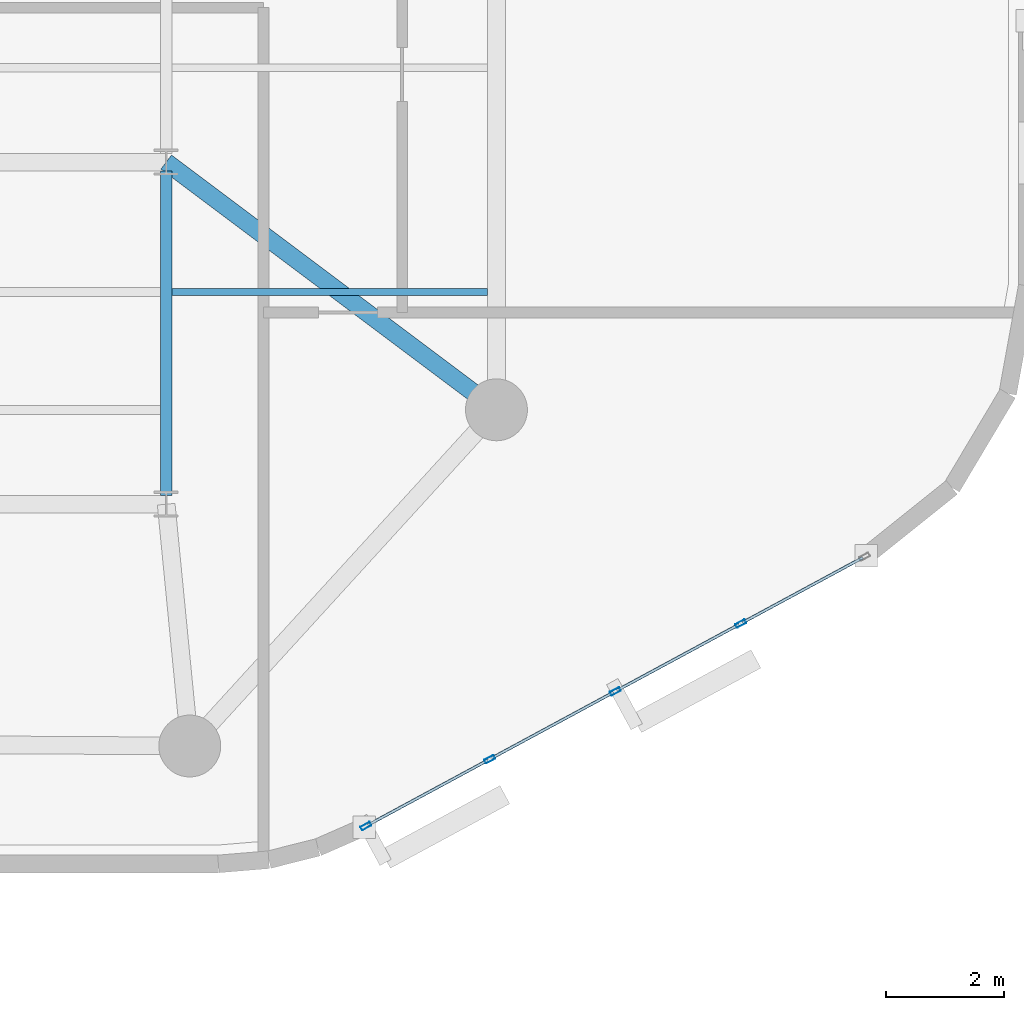
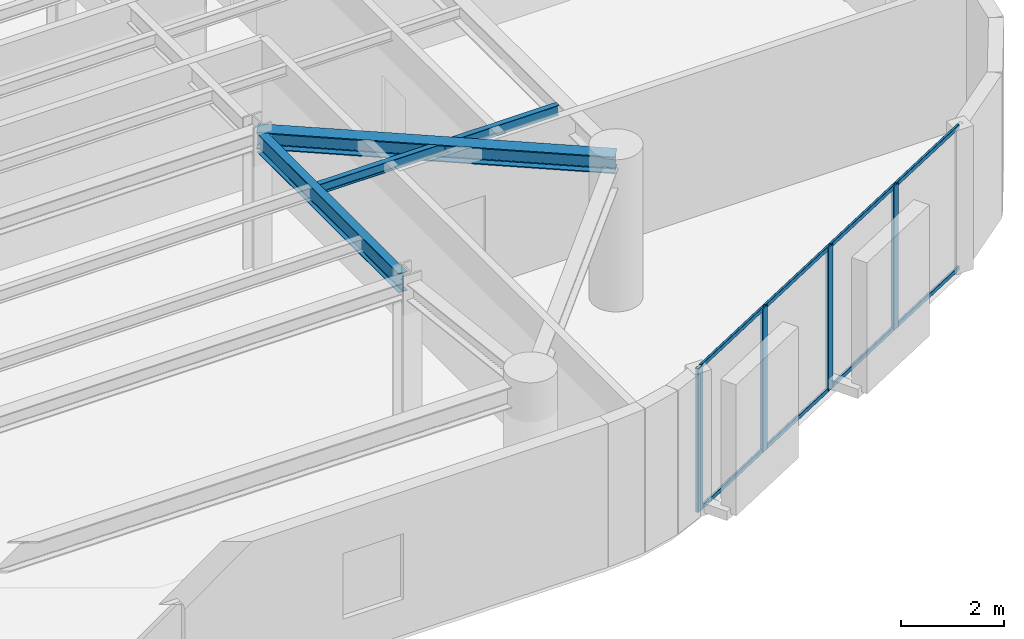
# One storey, part 2 of 14: 12 members, 3 beams, 1 element without a shape of its own.
"""IFC4 building model written with IfcOpenShell, lengths in metres."""

from ifc_helpers import new_model, si_unit, direction, frame, origin, origin_2d, place, context, subcontext, project, spatial, hollow_rectangle, i_section, extrude, material, layer, layer_set, material_profile, profile_set, type_object, element, aggregate, save


model = new_model("IFC4")

# Units and contexts
model_context = context("Model", 3, precision=1e-05, world=origin(), true_north=direction((0.0, 1.0)))
body_context = subcontext(model_context, "Body", "Model", "MODEL_VIEW")
ifc_project = project(units=[si_unit("LENGTHUNIT", "METRE"), si_unit("AREAUNIT", "SQUARE_METRE"), si_unit("VOLUMEUNIT", "CUBIC_METRE"), si_unit("PLANEANGLEUNIT", "RADIAN"), si_unit("MASSUNIT", "GRAM", prefix="KILO")], contexts=[model_context])

# Site, building, storey
site_placement = place(None, origin())
site = spatial("IfcSite", under=ifc_project, at=site_placement, CompositionType="ELEMENT")
building_placement = place(site_placement, origin())
building = spatial("IfcBuilding", under=site, at=building_placement, Name="An Khanh Terracotta Commons", CompositionType="ELEMENT")
storey_placement = place(building_placement, frame((0.0, 0.0, 230.10009765625)))
storey = spatial("IfcBuildingStorey", under=building, at=storey_placement, Name="L60", CompositionType="ELEMENT", Elevation=230.10009765625)

# Beams
ifc_material_1 = material(Name="Steel S355J2", Category="steel")
ifc_material_profile_1 = material_profile(ifc_material_1, i_section(OverallWidth=0.300048828125, OverallDepth=0.39990234375, WebThickness=0.013427734375, FlangeThickness=0.02392578125, FilletRadius=0.027099609375, at=origin_2d()), Name="HEB400")
ifc_profile_set_1 = profile_set([ifc_material_profile_1], Name="Steel S355J2")
beam_type_1 = type_object("IfcBeamType", Name="BM-HEB400", PredefinedType="BEAM", material=ifc_profile_set_1)
beam_1_placement = place(storey_placement, frame((59.60009765625, 16.0, 3.199951171875), z_axis=(-0.800008370399, 0.599988839305, 0.0), x_axis=(-0.599988839305, -0.800008370399, 0.0)))
element("IfcBeam", 1, at=beam_1_placement, inside=storey, type_object=beam_type_1, Name="L60 Mega-Column Tie Girder 3", PredefinedType="BEAM", context=body_context, shape_type="SweptSolid", body=[
    extrude(i_section(OverallWidth=0.300048828125, OverallDepth=0.39990234375, WebThickness=0.013427734375, FlangeThickness=0.02392578125, FilletRadius=0.027099609375, at=origin_2d()), origin(), (0.0, 0.0, 1.0), 7.0),
])
ifc_material_profile_2 = material_profile(ifc_material_1, i_section(OverallWidth=0.1201171875, OverallDepth=0.239990234375, WebThickness=0.006103515625, FlangeThickness=0.009765625, FilletRadius=0.014892578125, at=origin_2d()), Name="IPE240")
ifc_profile_set_2 = profile_set([ifc_material_profile_2], Name="Steel S355J2")
beam_type_2 = type_object("IfcBeamType", Name="BM-IPE240", PredefinedType="JOIST", material=ifc_profile_set_2)
beam_2_placement = place(storey_placement, frame((54.094970703125, 18.0, 3.27978515625), z_axis=(1.0, 0.0, 0.0), x_axis=(0.0, 1.0, 0.0)))
element("IfcBeam", 2, at=beam_2_placement, inside=storey, type_object=beam_type_2, Name="L60 Riverfront Composite Joist 2", PredefinedType="JOIST", context=body_context, shape_type="SweptSolid", body=[
    extrude(i_section(OverallWidth=0.1201171875, OverallDepth=0.239990234375, WebThickness=0.006103515625, FlangeThickness=0.009765625, FilletRadius=0.014892578125, at=origin_2d()), origin(), (0.0, 0.0, 1.0), 5.35498046875),
])
ifc_material_profile_3 = material_profile(ifc_material_1, i_section(OverallWidth=0.18994140625, OverallDepth=0.449951171875, WebThickness=0.009521484375, FlangeThickness=0.0146484375, FilletRadius=0.02099609375, at=origin_2d()), Name="IPE450")
ifc_profile_set_3 = profile_set([ifc_material_profile_3], Name="Steel S355J2")
beam_type_3 = type_object("IfcBeamType", Name="BM-IPE450", PredefinedType="JOIST", material=ifc_profile_set_3)
beam_3_placement = place(storey_placement, frame((54.0, 14.550048828125, 3.1748046875), z_axis=(0.0, 1.0, 0.0), x_axis=(-1.0, 0.0, 0.0)))
element("IfcBeam", 3, at=beam_3_placement, inside=storey, type_object=beam_type_3, Name="L60 East Spine Girder 1", PredefinedType="JOIST", context=body_context, shape_type="SweptSolid", body=[
    extrude(i_section(OverallWidth=0.18994140625, OverallDepth=0.449951171875, WebThickness=0.009521484375, FlangeThickness=0.0146484375, FilletRadius=0.02099609375, at=origin_2d()), origin(), (0.0, 0.0, 1.0), 5.5),
])

# Curtain wall, members
ifc_material_2 = material(Name="Anodised Aluminium 6063-T6", Category="aluminium")
ifc_layer = layer(ifc_material_2, 0.2099609375, Name="Anodised Aluminium 6063-T6")
ifc_layer_set = layer_set([ifc_layer], Name="Anodised Aluminium 6063-T6")
curtain_wall_type = type_object("IfcCurtainWallType", Name="CW-SYS-03", PredefinedType="USERDEFINED", material=ifc_layer_set)
curtain_wall_placement = place(storey_placement, origin())
curtain_wall = element("IfcCurtainWall", 4, at=curtain_wall_placement, inside=storey, type_object=curtain_wall_type, Name="L60 CW-03 Unitised Curtain Wall CW-L60-08", ObjectType="UNITISED CURTAIN WALL", PredefinedType="USERDEFINED")
ifc_material_profile_4 = material_profile(ifc_material_2, hollow_rectangle(XDim=0.070068359375, YDim=0.179931640625, WallThickness=0.00390625, InnerFilletRadius=0.00390625, OuterFilletRadius=0.008056640625, at=origin_2d()), Name="RHS180x70x4")
ifc_profile_set_4 = profile_set([ifc_material_profile_4], Name="Anodised Aluminium 6063-T6")
member_type_1 = type_object("IfcMemberType", Name="CWM-RHS180x70x4", PredefinedType="MULLION", material=ifc_profile_set_4)
member_1_placement = place(storey_placement, frame((57.3876953125, 8.941650390625, 0.0), z_axis=(0.0, 0.0, 1.0), x_axis=(-0.47538088298, 0.879780095306, 0.0)))
member_1 = element("IfcMember", 5, at=member_1_placement, type_object=member_type_1, Name="CW-03 mullion 1", PredefinedType="MULLION", context=body_context, shape_type="SweptSolid", body=[
    extrude(hollow_rectangle(XDim=0.070068359375, YDim=0.179931640625, WallThickness=0.00390625, InnerFilletRadius=0.00390625, OuterFilletRadius=0.008056640625, at=origin_2d()), origin(), (0.0, 0.0, 1.0), 3.39990234375),
])
member_2_placement = place(storey_placement, frame((59.48583984375, 10.0751953125, 0.0), z_axis=(0.0, 0.0, 1.0), x_axis=(-0.47538088298, 0.879780095306, 0.0)))
member_2 = element("IfcMember", 6, at=member_2_placement, type_object=member_type_1, Name="CW-03 mullion 2", PredefinedType="MULLION", context=body_context, shape_type="SweptSolid", body=[
    extrude(hollow_rectangle(XDim=0.070068359375, YDim=0.179931640625, WallThickness=0.00390625, InnerFilletRadius=0.00390625, OuterFilletRadius=0.008056640625, at=origin_2d()), origin(), (0.0, 0.0, 1.0), 3.39990234375),
])
member_3_placement = place(storey_placement, frame((61.614501953125, 11.2255859375, 0.0), z_axis=(0.0, 0.0, 1.0), x_axis=(-0.47538088298, 0.879780095306, 0.0)))
member_3 = element("IfcMember", 7, at=member_3_placement, type_object=member_type_1, Name="CW-03 mullion 3", PredefinedType="MULLION", context=body_context, shape_type="SweptSolid", body=[
    extrude(hollow_rectangle(XDim=0.070068359375, YDim=0.179931640625, WallThickness=0.00390625, InnerFilletRadius=0.00390625, OuterFilletRadius=0.008056640625, at=origin_2d()), origin(), (0.0, 0.0, 1.0), 3.39990234375),
])
member_4_placement = place(storey_placement, frame((63.7431640625, 12.375732421875, 0.0), z_axis=(0.0, 0.0, 1.0), x_axis=(-0.47538088298, 0.879780095306, 0.0)))
member_4 = element("IfcMember", 8, at=member_4_placement, type_object=member_type_1, Name="CW-03 mullion 4", PredefinedType="MULLION", context=body_context, shape_type="SweptSolid", body=[
    extrude(hollow_rectangle(XDim=0.070068359375, YDim=0.179931640625, WallThickness=0.00390625, InnerFilletRadius=0.00390625, OuterFilletRadius=0.008056640625, at=origin_2d()), origin(), (0.0, 0.0, 1.0), 3.39990234375),
])
ifc_material_profile_5 = material_profile(ifc_material_2, hollow_rectangle(XDim=0.050048828125, YDim=0.10009765625, WallThickness=0.003173828125, InnerFilletRadius=0.003173828125, OuterFilletRadius=0.00634765625, at=origin_2d()), Name="RHS100x50x3.2")
ifc_profile_set_5 = profile_set([ifc_material_profile_5], Name="Anodised Aluminium 6063-T6")
member_type_2 = type_object("IfcMemberType", Name="CWT-RHS100x50x3.2", PredefinedType="USERDEFINED", material=ifc_profile_set_5)
member_5_placement = place(storey_placement, frame((57.418701171875, 8.958251953125, 0.02490234375), z_axis=(0.879779245677, 0.475382455373, 0.0), x_axis=(-0.475382455373, 0.879779245677, 0.0)))
member_5 = element("IfcMember", 9, at=member_5_placement, type_object=member_type_2, Name="CW-03 transom 1.1", ObjectType="TRANSOM", PredefinedType="USERDEFINED", context=body_context, shape_type="SweptSolid", body=[
    extrude(hollow_rectangle(XDim=0.050048828125, YDim=0.10009765625, WallThickness=0.003173828125, InnerFilletRadius=0.003173828125, OuterFilletRadius=0.00634765625, at=origin_2d()), origin(), (0.0, 0.0, 1.0), 2.314697265625),
])
member_6_placement = place(storey_placement, frame((57.418701171875, 8.958251953125, 3.375), z_axis=(0.879779245677, 0.475382455373, 0.0), x_axis=(-0.475382455373, 0.879779245677, 0.0)))
member_6 = element("IfcMember", 10, at=member_6_placement, type_object=member_type_2, Name="CW-03 transom 1.2", ObjectType="TRANSOM", PredefinedType="USERDEFINED", context=body_context, shape_type="SweptSolid", body=[
    extrude(hollow_rectangle(XDim=0.050048828125, YDim=0.10009765625, WallThickness=0.003173828125, InnerFilletRadius=0.003173828125, OuterFilletRadius=0.00634765625, at=origin_2d()), origin(), (0.0, 0.0, 1.0), 2.314697265625),
])
member_7_placement = place(storey_placement, frame((59.5166015625, 10.091796875, 0.02490234375), z_axis=(0.879782861449, 0.475375763686, 0.0), x_axis=(-0.475375763686, 0.879782861449, 0.0)))
member_7 = element("IfcMember", 11, at=member_7_placement, type_object=member_type_2, Name="CW-03 transom 2.1", ObjectType="TRANSOM", PredefinedType="USERDEFINED", context=body_context, shape_type="SweptSolid", body=[
    extrude(hollow_rectangle(XDim=0.050048828125, YDim=0.10009765625, WallThickness=0.003173828125, InnerFilletRadius=0.003173828125, OuterFilletRadius=0.00634765625, at=origin_2d()), origin(), (0.0, 0.0, 1.0), 2.349609375),
])
member_8_placement = place(storey_placement, frame((59.5166015625, 10.091796875, 3.375), z_axis=(0.879782861449, 0.475375763686, 0.0), x_axis=(-0.475375763686, 0.879782861449, 0.0)))
member_8 = element("IfcMember", 12, at=member_8_placement, type_object=member_type_2, Name="CW-03 transom 2.2", ObjectType="TRANSOM", PredefinedType="USERDEFINED", context=body_context, shape_type="SweptSolid", body=[
    extrude(hollow_rectangle(XDim=0.050048828125, YDim=0.10009765625, WallThickness=0.003173828125, InnerFilletRadius=0.003173828125, OuterFilletRadius=0.00634765625, at=origin_2d()), origin(), (0.0, 0.0, 1.0), 2.349609375),
])
member_9_placement = place(storey_placement, frame((61.645263671875, 11.2421875, 0.02490234375), z_axis=(0.879782861449, 0.475375763686, 0.0), x_axis=(-0.475375763686, 0.879782861449, 0.0)))
member_9 = element("IfcMember", 13, at=member_9_placement, type_object=member_type_2, Name="CW-03 transom 3.1", ObjectType="TRANSOM", PredefinedType="USERDEFINED", context=body_context, shape_type="SweptSolid", body=[
    extrude(hollow_rectangle(XDim=0.050048828125, YDim=0.10009765625, WallThickness=0.003173828125, InnerFilletRadius=0.003173828125, OuterFilletRadius=0.00634765625, at=origin_2d()), origin(), (0.0, 0.0, 1.0), 2.349609375),
])
member_10_placement = place(storey_placement, frame((61.645263671875, 11.2421875, 3.375), z_axis=(0.879782861449, 0.475375763686, 0.0), x_axis=(-0.475375763686, 0.879782861449, 0.0)))
member_10 = element("IfcMember", 14, at=member_10_placement, type_object=member_type_2, Name="CW-03 transom 3.2", ObjectType="TRANSOM", PredefinedType="USERDEFINED", context=body_context, shape_type="SweptSolid", body=[
    extrude(hollow_rectangle(XDim=0.050048828125, YDim=0.10009765625, WallThickness=0.003173828125, InnerFilletRadius=0.003173828125, OuterFilletRadius=0.00634765625, at=origin_2d()), origin(), (0.0, 0.0, 1.0), 2.349609375),
])
member_11_placement = place(storey_placement, frame((63.77392578125, 12.392333984375, 0.02490234375), z_axis=(0.879779245677, 0.475382455373, 0.0), x_axis=(-0.475382455373, 0.879779245677, 0.0)))
member_11 = element("IfcMember", 15, at=member_11_placement, type_object=member_type_2, Name="CW-03 transom 4.1", ObjectType="TRANSOM", PredefinedType="USERDEFINED", context=body_context, shape_type="SweptSolid", body=[
    extrude(hollow_rectangle(XDim=0.050048828125, YDim=0.10009765625, WallThickness=0.003173828125, InnerFilletRadius=0.003173828125, OuterFilletRadius=0.00634765625, at=origin_2d()), origin(), (0.0, 0.0, 1.0), 2.314697265625),
])
member_12_placement = place(storey_placement, frame((63.77392578125, 12.392333984375, 3.375), z_axis=(0.879779245677, 0.475382455373, 0.0), x_axis=(-0.475382455373, 0.879779245677, 0.0)))
member_12 = element("IfcMember", 16, at=member_12_placement, type_object=member_type_2, Name="CW-03 transom 4.2", ObjectType="TRANSOM", PredefinedType="USERDEFINED", context=body_context, shape_type="SweptSolid", body=[
    extrude(hollow_rectangle(XDim=0.050048828125, YDim=0.10009765625, WallThickness=0.003173828125, InnerFilletRadius=0.003173828125, OuterFilletRadius=0.00634765625, at=origin_2d()), origin(), (0.0, 0.0, 1.0), 2.314697265625),
])
aggregate(curtain_wall, [member_1, member_2, member_3, member_4, member_5, member_6, member_7, member_8, member_9, member_10, member_11, member_12])

save(model, "model.ifc")
